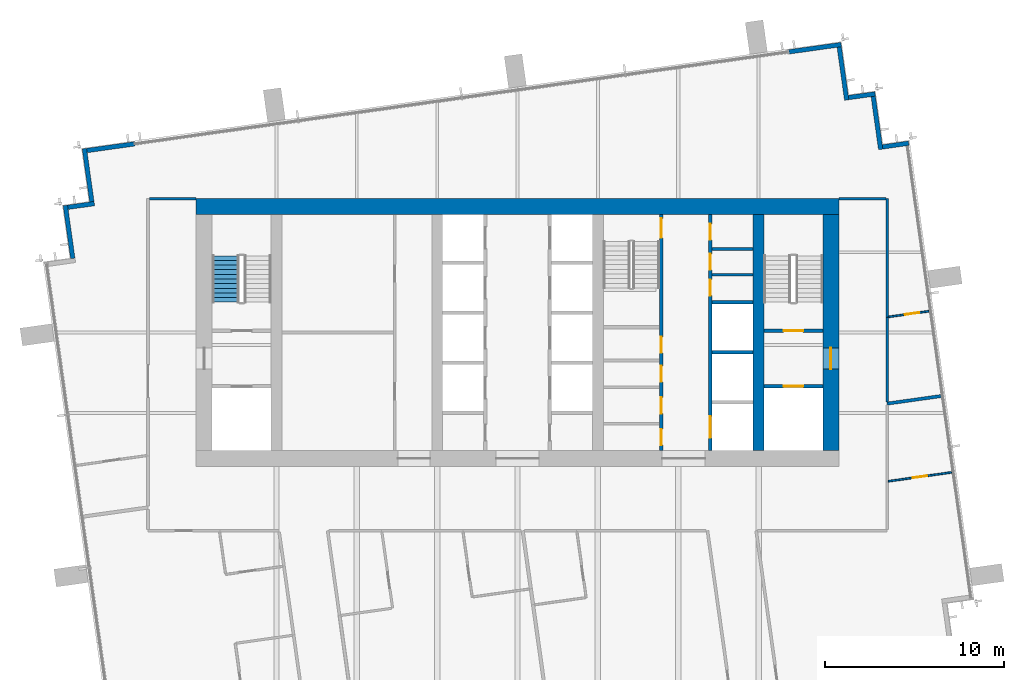
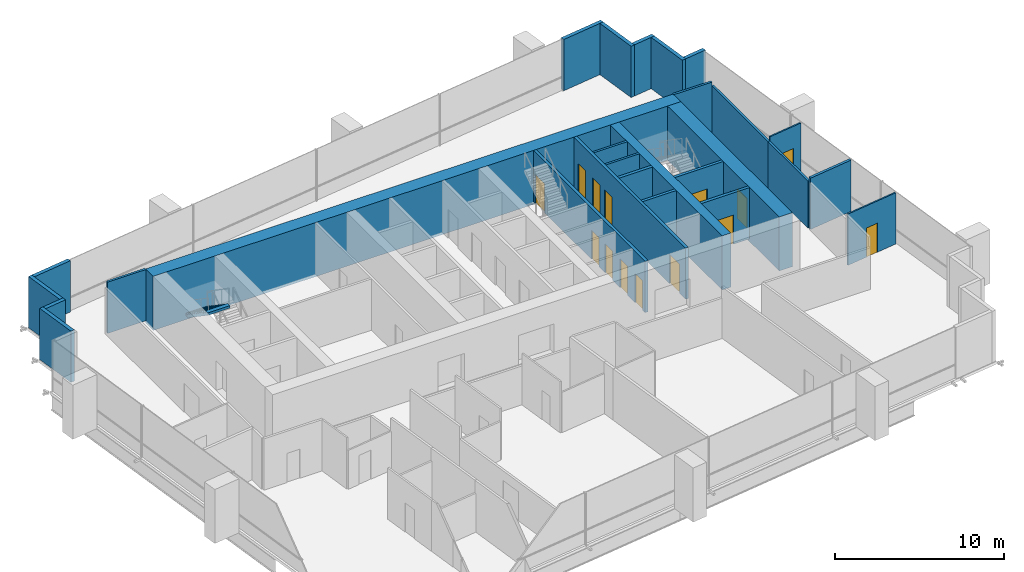
# One storey, part 10 of 12: 27 walls, 14 doors, 1 stair flight, 14 openings, 1 element without a shape of its own.
"""IFC4 building model written with IfcOpenShell, lengths in metres."""

from ifc_helpers import new_model, si_unit, direction, frame, frame_2d, origin, place, context, subcontext, project, spatial, polyline, rectangle, outline, extrude, material, layer, layer_set, type_object, element, fill, aggregate, save


model = new_model("IFC4")

# Units and contexts
model_context = context("Model", 3, precision=1e-05, world=origin(), true_north=direction((0.0, 1.0)))
body_context = subcontext(model_context, "Body", "Model", "MODEL_VIEW")
ifc_project = project(units=[si_unit("LENGTHUNIT", "METRE"), si_unit("AREAUNIT", "SQUARE_METRE"), si_unit("VOLUMEUNIT", "CUBIC_METRE"), si_unit("PLANEANGLEUNIT", "RADIAN"), si_unit("MASSUNIT", "GRAM", prefix="KILO")], contexts=[model_context])

# Site, building, storey
site_placement = place(None, origin())
site = spatial("IfcSite", under=ifc_project, at=site_placement, CompositionType="ELEMENT")
building_placement = place(site_placement, origin())
building = spatial("IfcBuilding", under=site, at=building_placement, Name="Rattan Terrace Tower", CompositionType="ELEMENT")
storey_placement = place(building_placement, frame((0.0, 0.0, 270.699951171875)))
storey = spatial("IfcBuildingStorey", under=building, at=storey_placement, Name="L62", CompositionType="ELEMENT", Elevation=270.699951171875)

# Walls
ifc_material_1 = material(Name="Gypsum board partition")
ifc_layer_1 = layer(ifc_material_1, 0.14990234375)
ifc_layer_set_1 = layer_set([ifc_layer_1], Name="Core partition 150")
wall_type_1 = type_object("IfcWallType", Name="Core partition 150", PredefinedType="PARTITIONING", material=ifc_layer_set_1)
for number, where, z_axis, x_axis, name in (
    (1, (10.89990234375, 3.239990234375, 0.0), (0.0, 0.0, 1.0), (1.0, 0.0, 0.0), "Riser room wall"),
    (2, (10.89990234375, 4.679931640625, 0.0), (0.0, 0.0, 1.0), (1.0, 0.0, 0.0), "Riser room wall"),
):
    element("IfcWall", number, at=place(storey_placement, frame(where, z_axis=z_axis, x_axis=x_axis)), inside=storey, type_object=wall_type_1, Name=name, PredefinedType="PARTITIONING", context=body_context, shape_type="SweptSolid", body=[
        extrude(rectangle(XDim=2.300048828125, YDim=0.14990234375, at=frame_2d((1.14990234375, 0.0))), origin(), (0.0, 0.0, 1.0), 3.699951171875),
    ])

# Wall, opening, door
ifc_material_2 = material(Name="Gypsum board partition")
ifc_layer_2 = layer(ifc_material_2, 0.199951171875)
ifc_layer_set_2 = layer_set([ifc_layer_2], Name="Core partition 200")
wall_type_2 = type_object("IfcWallType", Name="Core partition 200", PredefinedType="PARTITIONING", material=ifc_layer_set_2)
wall_1_placement = place(storey_placement, frame((13.800048828125, -3.0, 0.0), z_axis=(0.0, 0.0, 1.0), x_axis=(1.0, 0.0, 0.0)))
wall_1 = element("IfcWall", 3, at=wall_1_placement, inside=storey, type_object=wall_type_2, Name="Fire-fighting lobby wall", PredefinedType="PARTITIONING", context=body_context, shape_type="SweptSolid", body=[
    extrude(rectangle(XDim=3.300048828125, YDim=0.199951171875, at=frame_2d((1.64990234375, 0.0))), origin(), (0.0, 0.0, 1.0), 3.699951171875),
])
opening_1_placement = place(wall_1_placement, frame((1.10009765625, 0.0, 0.0)))
opening_1 = element("IfcOpeningElement", 4, at=opening_1_placement, cuts=wall_1, Name="Opening L62-LD-FF2", PredefinedType="OPENING", context=body_context, shape_type="SweptSolid", body=[
    extrude(rectangle(XDim=1.10009765625, YDim=2.10009765625, at=frame_2d((0.550048828125, 1.050048828125))), frame((0.0, 0.110595703125, 0.0), z_axis=(0.0, -1.0, 0.0), x_axis=(1.0, 0.0, 0.0)), (0.0, 0.0, 1.0), 0.220947265625),
])
ifc_material_3 = material(Name="Brushed stainless landing door panel")
door_type_1 = type_object("IfcDoorType", Name="Core lift landing door 1100", OperationType="DOUBLE_DOOR_SLIDING", PredefinedType="DOOR", material=ifc_material_3)
door_1_placement = place(opening_1_placement, origin())
door_1 = element("IfcDoor", 5, at=door_1_placement, inside=storey, type_object=door_type_1, Name="Door L62-LD-FF2", OperationType="DOUBLE_DOOR_SLIDING", OverallHeight=2.10009765625, OverallWidth=1.10009765625, PredefinedType="DOOR", context=body_context, shape_type="SweptSolid", body=[
    extrude(rectangle(XDim=1.10009765625, YDim=2.10009765625, at=frame_2d((0.550048828125, 1.050048828125))), frame((0.0, 0.02490234375, 0.0), z_axis=(0.0, -1.0, 0.0), x_axis=(1.0, 0.0, 0.0)), (0.0, 0.0, 1.0), 0.050048828125),
])
fill(opening_1, door_1)

wall_2_placement = place(storey_placement, frame((13.800048828125, 0.10009765625, 0.0), z_axis=(0.0, 0.0, 1.0), x_axis=(1.0, 0.0, 0.0)))
wall_2 = element("IfcWall", 6, at=wall_2_placement, inside=storey, type_object=wall_type_2, Name="Stair enclosure wall", PredefinedType="PARTITIONING", context=body_context, shape_type="SweptSolid", body=[
    extrude(rectangle(XDim=3.300048828125, YDim=0.199951171875, at=frame_2d((1.64990234375, 0.0))), origin(), (0.0, 0.0, 1.0), 3.699951171875),
])
opening_2_placement = place(wall_2_placement, frame((1.10009765625, 0.0, 0.0)))
opening_2 = element("IfcOpeningElement", 7, at=opening_2_placement, cuts=wall_2, Name="Opening L62-D004", PredefinedType="OPENING", context=body_context, shape_type="SweptSolid", body=[
    extrude(rectangle(XDim=1.10009765625, YDim=2.10009765625, at=frame_2d((0.550048828125, 1.050048828125))), frame((0.0, 0.110595703125, 0.0), z_axis=(0.0, -1.0, 0.0), x_axis=(1.0, 0.0, 0.0)), (0.0, 0.0, 1.0), 0.220947265625),
])
ifc_material_4 = material(Name="Hollow-metal fire door leaf")
door_type_2 = type_object("IfcDoorType", Name="Core stair door 1100", OperationType="NOTDEFINED", PredefinedType="DOOR", material=ifc_material_4)
door_2_placement = place(opening_2_placement, origin())
door_2 = element("IfcDoor", 8, at=door_2_placement, inside=storey, type_object=door_type_2, Name="Door L62-D004", OperationType="SINGLE_SWING_LEFT", OverallHeight=2.10009765625, OverallWidth=1.10009765625, PredefinedType="DOOR", context=body_context, shape_type="SweptSolid", body=[
    extrude(rectangle(XDim=1.10009765625, YDim=2.10009765625, at=frame_2d((0.550048828125, 1.050048828125))), frame((0.0, 0.02490234375, 0.0), z_axis=(0.0, -1.0, 0.0), x_axis=(1.0, 0.0, 0.0)), (0.0, 0.0, 1.0), 0.050048828125),
])
fill(opening_2, door_2)

# Wall, openings, doors
wall_3_placement = place(storey_placement, frame((8.050048828125, -6.60009765625, 0.0), z_axis=(0.0, 0.0, 1.0), x_axis=(0.0, 1.0, 0.0)))
wall_3 = element("IfcWall", 9, at=wall_3_placement, inside=storey, type_object=wall_type_2, Name="Lobby wall west", PredefinedType="PARTITIONING", context=body_context, shape_type="SweptSolid", body=[
    extrude(rectangle(XDim=13.2001953125, YDim=0.199951171875, at=frame_2d((6.60009765625, 0.0))), origin(), (0.0, 0.0, 1.0), 3.699951171875),
])
opening_3_placement = place(wall_3_placement, frame((0.298095703125, 0.0, 0.0)))
opening_3 = element("IfcOpeningElement", 10, at=opening_3_placement, cuts=wall_3, Name="Opening L62-D011", PredefinedType="OPENING", context=body_context, shape_type="SweptSolid", body=[
    extrude(rectangle(XDim=0.89990234375, YDim=2.10009765625, at=frame_2d((0.449951171875, 1.050048828125))), frame((0.0, 0.110595703125, 0.0), z_axis=(0.0, -1.0, 0.0), x_axis=(1.0, 0.0, 0.0)), (0.0, 0.0, 1.0), 0.220947265625),
])
opening_4_placement = place(wall_3_placement, frame((2.06591796875, 0.0, 0.0)))
opening_4 = element("IfcOpeningElement", 11, at=opening_4_placement, cuts=wall_3, Name="Opening L62-D012", PredefinedType="OPENING", context=body_context, shape_type="SweptSolid", body=[
    extrude(rectangle(XDim=0.89990234375, YDim=2.10009765625, at=frame_2d((0.449951171875, 1.050048828125))), frame((0.0, 0.110595703125, 0.0), z_axis=(0.0, -1.0, 0.0), x_axis=(1.0, 0.0, 0.0)), (0.0, 0.0, 1.0), 0.220947265625),
])
opening_5_placement = place(wall_3_placement, frame((3.833984375, 0.0, 0.0)))
opening_5 = element("IfcOpeningElement", 12, at=opening_5_placement, cuts=wall_3, Name="Opening L62-D013", PredefinedType="OPENING", context=body_context, shape_type="SweptSolid", body=[
    extrude(rectangle(XDim=0.89990234375, YDim=2.10009765625, at=frame_2d((0.449951171875, 1.050048828125))), frame((0.0, 0.110595703125, 0.0), z_axis=(0.0, -1.0, 0.0), x_axis=(1.0, 0.0, 0.0)), (0.0, 0.0, 1.0), 0.220947265625),
])
opening_6_placement = place(wall_3_placement, frame((5.466064453125, 0.0, 0.0)))
opening_6 = element("IfcOpeningElement", 13, at=opening_6_placement, cuts=wall_3, Name="Opening L62-D014", PredefinedType="OPENING", context=body_context, shape_type="SweptSolid", body=[
    extrude(rectangle(XDim=0.89990234375, YDim=2.10009765625, at=frame_2d((0.449951171875, 1.050048828125))), frame((0.0, 0.110595703125, 0.0), z_axis=(0.0, -1.0, 0.0), x_axis=(1.0, 0.0, 0.0)), (0.0, 0.0, 1.0), 0.220947265625),
])
opening_7_placement = place(wall_3_placement, frame((11.89990234375, 0.0, 0.0)))
opening_7 = element("IfcOpeningElement", 14, at=opening_7_placement, cuts=wall_3, Name="Opening L62-D015", PredefinedType="OPENING", context=body_context, shape_type="SweptSolid", body=[
    extrude(rectangle(XDim=1.10009765625, YDim=2.10009765625, at=frame_2d((0.550048828125, 1.050048828125))), frame((0.0, 0.110595703125, 0.0), z_axis=(0.0, -1.0, 0.0), x_axis=(1.0, 0.0, 0.0)), (0.0, 0.0, 1.0), 0.220947265625),
])
ifc_material_5 = material(Name="Hollow-metal fire door leaf")
door_type_3 = type_object("IfcDoorType", Name="Core service room door 900", OperationType="NOTDEFINED", PredefinedType="DOOR", material=ifc_material_5)
door_3_placement = place(opening_6_placement, origin())
door_3 = element("IfcDoor", 15, at=door_3_placement, inside=storey, type_object=door_type_3, Name="Door L62-D014", OperationType="SINGLE_SWING_RIGHT", OverallHeight=2.10009765625, OverallWidth=0.89990234375, PredefinedType="DOOR", context=body_context, shape_type="SweptSolid", body=[
    extrude(rectangle(XDim=0.89990234375, YDim=2.10009765625, at=frame_2d((0.449951171875, 1.050048828125))), frame((0.0, 0.02490234375, 0.0), z_axis=(0.0, -1.0, 0.0), x_axis=(1.0, 0.0, 0.0)), (0.0, 0.0, 1.0), 0.050048828125),
])
fill(opening_6, door_3)
door_4_placement = place(opening_7_placement, origin())
door_4 = element("IfcDoor", 16, at=door_4_placement, inside=storey, type_object=door_type_2, Name="Door L62-D015", OperationType="SINGLE_SWING_LEFT", OverallHeight=2.10009765625, OverallWidth=1.10009765625, PredefinedType="DOOR", context=body_context, shape_type="SweptSolid", body=[
    extrude(rectangle(XDim=1.10009765625, YDim=2.10009765625, at=frame_2d((0.550048828125, 1.050048828125))), frame((0.0, 0.02490234375, 0.0), z_axis=(0.0, -1.0, 0.0), x_axis=(1.0, 0.0, 0.0)), (0.0, 0.0, 1.0), 0.050048828125),
])
fill(opening_7, door_4)
ifc_material_6 = material(Name="Hollow-metal fire door leaf")
door_type_4 = type_object("IfcDoorType", Name="Core toilet door 900", OperationType="NOTDEFINED", PredefinedType="DOOR", material=ifc_material_6)
door_5_placement = place(opening_3_placement, origin())
door_5 = element("IfcDoor", 17, at=door_5_placement, inside=storey, type_object=door_type_4, Name="Door L62-D011", OperationType="SINGLE_SWING_LEFT", OverallHeight=2.10009765625, OverallWidth=0.89990234375, PredefinedType="DOOR", context=body_context, shape_type="SweptSolid", body=[
    extrude(rectangle(XDim=0.89990234375, YDim=2.10009765625, at=frame_2d((0.449951171875, 1.050048828125))), frame((0.0, 0.02490234375, 0.0), z_axis=(0.0, -1.0, 0.0), x_axis=(1.0, 0.0, 0.0)), (0.0, 0.0, 1.0), 0.050048828125),
])
fill(opening_3, door_5)
door_6_placement = place(opening_4_placement, origin())
door_6 = element("IfcDoor", 18, at=door_6_placement, inside=storey, type_object=door_type_4, Name="Door L62-D012", OperationType="SINGLE_SWING_RIGHT", OverallHeight=2.10009765625, OverallWidth=0.89990234375, PredefinedType="DOOR", context=body_context, shape_type="SweptSolid", body=[
    extrude(rectangle(XDim=0.89990234375, YDim=2.10009765625, at=frame_2d((0.449951171875, 1.050048828125))), frame((0.0, 0.02490234375, 0.0), z_axis=(0.0, -1.0, 0.0), x_axis=(1.0, 0.0, 0.0)), (0.0, 0.0, 1.0), 0.050048828125),
])
fill(opening_4, door_6)
door_7_placement = place(opening_5_placement, origin())
door_7 = element("IfcDoor", 19, at=door_7_placement, inside=storey, type_object=door_type_4, Name="Door L62-D013", OperationType="SINGLE_SWING_LEFT", OverallHeight=2.10009765625, OverallWidth=0.89990234375, PredefinedType="DOOR", context=body_context, shape_type="SweptSolid", body=[
    extrude(rectangle(XDim=0.89990234375, YDim=2.10009765625, at=frame_2d((0.449951171875, 1.050048828125))), frame((0.0, 0.02490234375, 0.0), z_axis=(0.0, -1.0, 0.0), x_axis=(1.0, 0.0, 0.0)), (0.0, 0.0, 1.0), 0.050048828125),
])
fill(opening_5, door_7)

# Wall
ifc_material_7 = material(Name="Concrete C50/60", Category="concrete")
ifc_layer_3 = layer(ifc_material_7, 0.89990234375)
ifc_layer_set_3 = layer_set([ifc_layer_3], Name="Core ring wall 900 C50/60")
wall_type_3 = type_object("IfcWallType", Name="Core ring wall 900 C50/60", PredefinedType="SHEAR", material=ifc_layer_set_3)
wall_4_placement = place(storey_placement, frame((-18.0, 7.050048828125, -0.199951171875), z_axis=(0.0, 0.0, 1.0), x_axis=(1.0, 0.0, 0.0)))
element("IfcWall", 20, at=wall_4_placement, inside=storey, type_object=wall_type_3, Name="Rear core wall north", PredefinedType="SHEAR", context=body_context, shape_type="SweptSolid", body=[
    extrude(rectangle(XDim=36.0, YDim=0.89990234375, at=frame_2d((18.0, 0.0))), origin(), (0.0, 0.0, 1.0), 3.89990234375),
])

# Wall, opening, door
wall_5_placement = place(storey_placement, frame((17.550048828125, -6.60009765625, -0.199951171875), z_axis=(0.0, 0.0, 1.0), x_axis=(0.0, 1.0, 0.0)))
wall_5 = element("IfcWall", 21, at=wall_5_placement, inside=storey, type_object=wall_type_3, Name="Rear core wall east", PredefinedType="SHEAR", context=body_context, shape_type="SweptSolid", body=[
    extrude(rectangle(XDim=13.2001953125, YDim=0.89990234375, at=frame_2d((6.60009765625, 0.0))), origin(), (0.0, 0.0, 1.0), 3.89990234375),
])
opening_8_placement = place(wall_5_placement, frame((4.550048828125, 0.0, 0.199951171875)))
opening_8 = element("IfcOpeningElement", 22, at=opening_8_placement, cuts=wall_5, Name="Opening L62-D003", PredefinedType="OPENING", context=body_context, shape_type="SweptSolid", body=[
    extrude(rectangle(XDim=1.199951171875, YDim=2.10009765625, at=frame_2d((0.60009765625, 1.050048828125))), frame((0.0, 0.46044921875, 0.0), z_axis=(0.0, -1.0, 0.0), x_axis=(1.0, 0.0, 0.0)), (0.0, 0.0, 1.0), 0.9208984375),
])
ifc_material_8 = material(Name="Hollow-metal fire door leaf")
door_type_5 = type_object("IfcDoorType", Name="Core fire-fighting lobby door 1200", OperationType="NOTDEFINED", PredefinedType="DOOR", material=ifc_material_8)
door_8_placement = place(opening_8_placement, origin())
door_8 = element("IfcDoor", 23, at=door_8_placement, inside=storey, type_object=door_type_5, Name="Door L62-D003", OperationType="SINGLE_SWING_RIGHT", OverallHeight=2.10009765625, OverallWidth=1.199951171875, PredefinedType="DOOR", context=body_context, shape_type="SweptSolid", body=[
    extrude(rectangle(XDim=1.199951171875, YDim=2.10009765625, at=frame_2d((0.60009765625, 1.050048828125))), frame((0.0, 0.02490234375, 0.0), z_axis=(0.0, -1.0, 0.0), x_axis=(1.0, 0.0, 0.0)), (0.0, 0.0, 1.0), 0.050048828125),
])
fill(opening_8, door_8)

# Walls
ifc_material_9 = material(Name="Concrete C50/60", Category="concrete")
ifc_layer_4 = layer(ifc_material_9, 0.60009765625)
ifc_layer_set_4 = layer_set([ifc_layer_4], Name="Core spine wall 600 C50/60")
wall_type_4 = type_object("IfcWallType", Name="Core spine wall 600 C50/60", PredefinedType="SHEAR", material=ifc_layer_set_4)
wall_6_placement = place(storey_placement, frame((13.5, -6.60009765625, -0.199951171875), z_axis=(0.0, 0.0, 1.0), x_axis=(0.0, 1.0, 0.0)))
element("IfcWall", 24, at=wall_6_placement, inside=storey, type_object=wall_type_4, Name="Core spine wall 4", PredefinedType="SHEAR", context=body_context, shape_type="SweptSolid", body=[
    extrude(rectangle(XDim=13.2001953125, YDim=0.60009765625, at=frame_2d((6.60009765625, 0.0))), origin(), (0.0, 0.0, 1.0), 3.89990234375),
])
ifc_material_10 = material(Name="Insulated aluminium-clad stud wall", Category="aluminium")
ifc_layer_5 = layer(ifc_material_10, 0.25)
ifc_layer_set_5 = layer_set([ifc_layer_5], Name="Facade Riser Wall 250")
wall_type_5 = type_object("IfcWallType", Name="Facade Riser Wall 250", PredefinedType="SOLIDWALL", material=ifc_layer_set_5)
wall_7_placement = place(storey_placement, frame((21.90625, 10.60498046875, 0.0), z_axis=(0.0, 0.0, 1.0), x_axis=(-0.990235520307, -0.13940449893, 0.0)))
element("IfcWall", 25, at=wall_7_placement, inside=storey, type_object=wall_type_5, Name="Riser wall L62-6", PredefinedType="SOLIDWALL", context=body_context, shape_type="SweptSolid", body=[
    extrude(rectangle(XDim=1.474609375, YDim=0.25, at=frame_2d((0.7373046875, 0.0))), origin(), (0.0, 0.0, 1.0), 3.699951171875),
])
wall_8_placement = place(storey_placement, frame((20.33984375, 10.25830078125, 0.0), z_axis=(0.0, 0.0, 1.0), x_axis=(-0.139393225799, 0.990237107263, 0.0)))
element("IfcWall", 26, at=wall_8_placement, inside=storey, type_object=wall_type_5, Name="Riser wall L62-7", PredefinedType="SOLIDWALL", context=body_context, shape_type="SweptSolid", body=[
    extrude(rectangle(XDim=3.000244140625, YDim=0.25, at=frame_2d((1.5, 0.0))), origin(), (0.0, 0.0, 1.0), 3.699951171875),
])
wall_9_placement = place(storey_placement, frame((20.028076171875, 13.370361328125, 0.0), z_axis=(0.0, 0.0, 1.0), x_axis=(-0.990330117064, -0.138730887823, 0.0)))
element("IfcWall", 27, at=wall_9_placement, inside=storey, type_object=wall_type_5, Name="Riser wall L62-8", PredefinedType="SOLIDWALL", context=body_context, shape_type="SweptSolid", body=[
    extrude(rectangle(XDim=1.499267578125, YDim=0.25, at=frame_2d((0.74951171875, 0.0))), origin(), (0.0, 0.0, 1.0), 3.699951171875),
])
wall_10_placement = place(storey_placement, frame((18.436767578125, 13.021240234375, 0.0), z_axis=(0.0, 0.0, 1.0), x_axis=(-0.139358350296, 0.990242015975, 0.0)))
element("IfcWall", 28, at=wall_10_placement, inside=storey, type_object=wall_type_5, Name="Riser wall L62-9", PredefinedType="SOLIDWALL", context=body_context, shape_type="SweptSolid", body=[
    extrude(rectangle(XDim=2.999267578125, YDim=0.25, at=frame_2d((1.49951171875, 0.0))), origin(), (0.0, 0.0, 1.0), 3.699951171875),
])
wall_11_placement = place(storey_placement, frame((18.125244140625, 16.13232421875, 0.0), z_axis=(0.0, 0.0, 1.0), x_axis=(-0.990291981483, -0.139002846771, 0.0)))
element("IfcWall", 29, at=wall_11_placement, inside=storey, type_object=wall_type_5, Name="Riser wall L62-10", PredefinedType="SOLIDWALL", context=body_context, shape_type="SweptSolid", body=[
    extrude(rectangle(XDim=2.9541015625, YDim=0.25, at=frame_2d((1.47705078125, 0.0))), origin(), (0.0, 0.0, 1.0), 3.699951171875),
])
wall_12_placement = place(storey_placement, frame((-21.4404296875, 10.571533203125, 0.0), z_axis=(0.0, 0.0, 1.0), x_axis=(-0.990293105353, -0.138994839796, 0.0)))
element("IfcWall", 30, at=wall_12_placement, inside=storey, type_object=wall_type_5, Name="Riser wall L62-11", PredefinedType="SOLIDWALL", context=body_context, shape_type="SweptSolid", body=[
    extrude(rectangle(XDim=2.705078125, YDim=0.25, at=frame_2d((1.3525390625, 0.0))), origin(), (0.0, 0.0, 1.0), 3.699951171875),
])
wall_13_placement = place(storey_placement, frame((-24.260498046875, 10.302001953125, 0.0), z_axis=(0.0, 0.0, 1.0), x_axis=(0.138994228812, -0.990293191109, 0.0)))
element("IfcWall", 31, at=wall_13_placement, inside=storey, type_object=wall_type_5, Name="Riser wall L62-12", PredefinedType="SOLIDWALL", context=body_context, shape_type="SweptSolid", body=[
    extrude(rectangle(XDim=3.0, YDim=0.25, at=frame_2d((1.5, 0.0))), origin(), (0.0, 0.0, 1.0), 3.699951171875),
])
wall_14_placement = place(storey_placement, frame((-23.7021484375, 7.224853515625, 0.0), z_axis=(0.0, 0.0, 1.0), x_axis=(-0.990243596651, -0.13934711799, 0.0)))
element("IfcWall", 32, at=wall_14_placement, inside=storey, type_object=wall_type_5, Name="Riser wall L62-13", PredefinedType="SOLIDWALL", context=body_context, shape_type="SweptSolid", body=[
    extrude(rectangle(XDim=1.499755859375, YDim=0.25, at=frame_2d((0.75, 0.0))), origin(), (0.0, 0.0, 1.0), 3.699951171875),
])
wall_15_placement = place(storey_placement, frame((-25.328369140625, 7.1220703125, 0.0), z_axis=(0.0, 0.0, 1.0), x_axis=(0.139358350296, -0.990242015975, 0.0)))
element("IfcWall", 33, at=wall_15_placement, inside=storey, type_object=wall_type_5, Name="Riser wall L62-14", PredefinedType="SOLIDWALL", context=body_context, shape_type="SweptSolid", body=[
    extrude(rectangle(XDim=2.999267578125, YDim=0.25, at=frame_2d((1.49951171875, 0.0))), origin(), (0.0, 0.0, 1.0), 3.699951171875),
])
ifc_material_11 = material(Name="Double steel stud acoustic partition, gypsum board, mineral wool, fire rated", Category="steel")
ifc_layer_6 = layer(ifc_material_11, 0.179931640625)
ifc_layer_set_6 = layer_set([ifc_layer_6], Name="Floors Acoustic Party Wall 180")
wall_type_6 = type_object("IfcWallType", Name="Floors Acoustic Party Wall 180", PredefinedType="PARTITIONING", material=ifc_layer_set_6)
wall_16_placement = place(storey_placement, frame((20.699951171875, -3.97900390625, 0.0), z_axis=(0.0, 0.0, 1.0), x_axis=(0.990284458693, 0.139056430527, 0.0)))
element("IfcWall", 34, at=wall_16_placement, inside=storey, type_object=wall_type_6, Name="pt-L62-034", PredefinedType="PARTITIONING", context=body_context, shape_type="SweptSolid", body=[
    extrude(rectangle(XDim=3.03564453125, YDim=0.179931640625, at=frame_2d((1.517822265625, 0.0))), origin(), (0.0, 0.0, 1.0), 3.699951171875),
])

# Wall, opening, door
ifc_material_12 = material(Name="Gypsum board partition on steel studs", Category="steel")
ifc_layer_7 = layer(ifc_material_12, 0.10009765625)
ifc_layer_set_7 = layer_set([ifc_layer_7], Name="Floors Partition 100")
wall_type_7 = type_object("IfcWallType", Name="Floors Partition 100", PredefinedType="PARTITIONING", material=ifc_layer_set_7)
wall_17_placement = place(storey_placement, frame((20.76806640625, -8.327880859375, 0.0), z_axis=(0.0, 0.0, 1.0), x_axis=(0.990282917859, 0.139067403067, 0.0)))
wall_17 = element("IfcWall", 35, at=wall_17_placement, inside=storey, type_object=wall_type_7, Name="pt-L62-033", PredefinedType="PARTITIONING", context=body_context, shape_type="SweptSolid", body=[
    extrude(rectangle(XDim=3.572509765625, YDim=0.10009765625, at=frame_2d((1.7861328125, 0.0))), origin(), (0.0, 0.0, 1.0), 3.699951171875),
])
opening_9_placement = place(wall_17_placement, frame((1.386962890625, 0.0, 0.0)))
opening_9 = element("IfcOpeningElement", 36, at=opening_9_placement, cuts=wall_17, Name="Opening L62-D105", PredefinedType="OPENING", context=body_context, shape_type="SweptSolid", body=[
    extrude(rectangle(XDim=0.800048828125, YDim=2.10009765625, at=frame_2d((0.39990234375, 1.050048828125))), frame((0.0, 0.060546875, 0.0), z_axis=(0.0, -1.0, 0.0), x_axis=(1.0, 0.0, 0.0)), (0.0, 0.0, 1.0), 0.12109375),
])
ifc_material_13 = material(Name="Solid core timber door, painted", Category="wood")
door_type_6 = type_object("IfcDoorType", Name="Floors Store Door 800x2100", OperationType="NOTDEFINED", PredefinedType="DOOR", material=ifc_material_13)
door_9_placement = place(opening_9_placement, origin())
door_9 = element("IfcDoor", 37, at=door_9_placement, inside=storey, type_object=door_type_6, Name="d-L62-105", OperationType="SINGLE_SWING_RIGHT", OverallHeight=2.10009765625, OverallWidth=0.800048828125, PredefinedType="DOOR", context=body_context, shape_type="SweptSolid", body=[
    extrude(rectangle(XDim=0.800048828125, YDim=2.10009765625, at=frame_2d((0.39990234375, 1.050048828125))), frame((0.0, 0.02490234375, 0.0), z_axis=(0.0, -1.0, 0.0), x_axis=(1.0, 0.0, 0.0)), (0.0, 0.0, 1.0), 0.050048828125),
])
fill(opening_9, door_9)

wall_18_placement = place(storey_placement, frame((23.037109375, 1.196044921875, 0.0), z_axis=(0.0, 0.0, 1.0), x_axis=(-0.990256119684, -0.139258096452, 0.0)))
wall_18 = element("IfcWall", 38, at=wall_18_placement, inside=storey, type_object=wall_type_7, Name="pt-L62-036", PredefinedType="PARTITIONING", context=body_context, shape_type="SweptSolid", body=[
    extrude(rectangle(XDim=2.291259765625, YDim=0.10009765625, at=frame_2d((1.1455078125, 0.0))), origin(), (0.0, 0.0, 1.0), 3.699951171875),
])
opening_10_placement = place(wall_18_placement, frame((0.547119140625, 0.0, 0.0)))
opening_10 = element("IfcOpeningElement", 39, at=opening_10_placement, cuts=wall_18, Name="Opening L62-D108", PredefinedType="OPENING", context=body_context, shape_type="SweptSolid", body=[
    extrude(rectangle(XDim=0.800048828125, YDim=2.10009765625, at=frame_2d((0.39990234375, 1.050048828125))), frame((0.0, 0.060546875, 0.0), z_axis=(0.0, -1.0, 0.0), x_axis=(1.0, 0.0, 0.0)), (0.0, 0.0, 1.0), 0.12109375),
])
door_10_placement = place(opening_10_placement, origin())
door_10 = element("IfcDoor", 40, at=door_10_placement, inside=storey, type_object=door_type_6, Name="d-L62-108", OperationType="SINGLE_SWING_LEFT", OverallHeight=2.10009765625, OverallWidth=0.800048828125, PredefinedType="DOOR", context=body_context, shape_type="SweptSolid", body=[
    extrude(rectangle(XDim=0.800048828125, YDim=2.10009765625, at=frame_2d((0.39990234375, 1.050048828125))), frame((0.0, 0.02490234375, 0.0), z_axis=(0.0, -1.0, 0.0), x_axis=(1.0, 0.0, 0.0)), (0.0, 0.0, 1.0), 0.050048828125),
])
fill(opening_10, door_10)

# Walls
ifc_material_14 = material(Name="Gypsum board partition on steel studs, fire rated", Category="steel")
ifc_layer_8 = layer(ifc_material_14, 0.14990234375)
ifc_layer_set_8 = layer_set([ifc_layer_8], Name="Floors Tenancy Wall 150")
wall_type_8 = type_object("IfcWallType", Name="Floors Tenancy Wall 150", PredefinedType="PARTITIONING", material=ifc_layer_set_8)
for number, where, z_axis, x_axis, name in (
    (41, (-20.625, 7.5009765625, 0.0), (0.0, 0.0, 1.0), (1.0, 0.0, 0.0), "pt-L62-013"),
    (42, (18.0, 7.5009765625, 0.0), (0.0, 0.0, 1.0), (1.0, 0.0, 0.0), "pt-L62-014"),
):
    element("IfcWall", number, at=place(storey_placement, frame(where, z_axis=z_axis, x_axis=x_axis)), inside=storey, type_object=wall_type_8, Name=name, PredefinedType="PARTITIONING", context=body_context, shape_type="SweptSolid", body=[
        extrude(rectangle(XDim=2.625, YDim=0.14990234375, at=frame_2d((1.3125, 0.0))), origin(), (0.0, 0.0, 1.0), 3.699951171875),
    ])
wall_19_placement = place(storey_placement, frame((20.699951171875, 7.5, 0.0), z_axis=(0.0, 0.0, 1.0), x_axis=(0.0, -1.0, 0.0)))
element("IfcWall", 43, at=wall_19_placement, inside=storey, type_object=wall_type_8, Name="pt-L62-015", PredefinedType="PARTITIONING", context=body_context, shape_type="SweptSolid", body=[
    extrude(rectangle(XDim=6.652099609375, YDim=0.14990234375, at=frame_2d((3.326171875, 0.0))), origin(), (0.0, 0.0, 1.0), 3.400146484375),
])
wall_20_placement = place(storey_placement, frame((20.699951171875, 0.847900390625, 0.0), z_axis=(0.0, 0.0, 1.0), x_axis=(0.0, -1.0, 0.0)))
element("IfcWall", 44, at=wall_20_placement, inside=storey, type_object=wall_type_8, Name="pt-L62-017", PredefinedType="PARTITIONING", context=body_context, shape_type="SweptSolid", body=[
    extrude(rectangle(XDim=4.725830078125, YDim=0.14990234375, at=frame_2d((2.36279296875, 0.0))), origin(), (0.0, 0.0, 1.0), 3.400146484375),
])

# Wall, openings, doors
ifc_material_15 = material(Name="Gypsum shaft wall system")
ifc_layer_9 = layer(ifc_material_15, 0.199951171875)
ifc_layer_set_9 = layer_set([ifc_layer_9], Name="Lift shaft wall 200")
wall_type_9 = type_object("IfcWallType", Name="Lift shaft wall 200", PredefinedType="PARTITIONING", material=ifc_layer_set_9)
wall_21_placement = place(storey_placement, frame((10.800048828125, -6.60009765625, 0.0), z_axis=(0.0, 0.0, 1.0), x_axis=(0.0, 1.0, 0.0)))
wall_21 = element("IfcWall", 45, at=wall_21_placement, inside=storey, type_object=wall_type_9, Name="Lift shaft front wall", PredefinedType="PARTITIONING", context=body_context, shape_type="SweptSolid", body=[
    extrude(rectangle(XDim=13.2001953125, YDim=0.199951171875, at=frame_2d((6.60009765625, 0.0))), origin(), (0.0, 0.0, 1.0), 3.699951171875),
])
opening_11_placement = place(wall_21_placement, frame((0.699951171875, 0.0, 0.0)))
opening_11 = element("IfcOpeningElement", 46, at=opening_11_placement, cuts=wall_21, Name="Opening L62-LD-SV1", PredefinedType="OPENING", context=body_context, shape_type="SweptSolid", body=[
    extrude(rectangle(XDim=1.199951171875, YDim=2.10009765625, at=frame_2d((0.60009765625, 1.050048828125))), frame((0.0, 0.110595703125, 0.0), z_axis=(0.0, -1.0, 0.0), x_axis=(1.0, 0.0, 0.0)), (0.0, 0.0, 1.0), 0.220947265625),
])
opening_12_placement = place(wall_21_placement, frame((8.669921875, 0.0, 0.0)))
opening_12 = element("IfcOpeningElement", 47, at=opening_12_placement, cuts=wall_21, Name="Opening L62-D017", PredefinedType="OPENING", context=body_context, shape_type="SweptSolid", body=[
    extrude(rectangle(XDim=0.89990234375, YDim=2.10009765625, at=frame_2d((0.449951171875, 1.050048828125))), frame((0.0, 0.110595703125, 0.0), z_axis=(0.0, -1.0, 0.0), x_axis=(1.0, 0.0, 0.0)), (0.0, 0.0, 1.0), 0.220947265625),
])
opening_13_placement = place(wall_21_placement, frame((10.110107421875, 0.0, 0.0)))
opening_13 = element("IfcOpeningElement", 48, at=opening_13_placement, cuts=wall_21, Name="Opening L62-D018", PredefinedType="OPENING", context=body_context, shape_type="SweptSolid", body=[
    extrude(rectangle(XDim=0.89990234375, YDim=2.10009765625, at=frame_2d((0.449951171875, 1.050048828125))), frame((0.0, 0.110595703125, 0.0), z_axis=(0.0, -1.0, 0.0), x_axis=(1.0, 0.0, 0.0)), (0.0, 0.0, 1.0), 0.220947265625),
])
opening_14_placement = place(wall_21_placement, frame((11.7900390625, 0.0, 0.0)))
opening_14 = element("IfcOpeningElement", 49, at=opening_14_placement, cuts=wall_21, Name="Opening L62-D019", PredefinedType="OPENING", context=body_context, shape_type="SweptSolid", body=[
    extrude(rectangle(XDim=0.89990234375, YDim=2.10009765625, at=frame_2d((0.449951171875, 1.050048828125))), frame((0.0, 0.110595703125, 0.0), z_axis=(0.0, -1.0, 0.0), x_axis=(1.0, 0.0, 0.0)), (0.0, 0.0, 1.0), 0.220947265625),
])
ifc_material_16 = material(Name="Brushed stainless landing door panel")
door_type_7 = type_object("IfcDoorType", Name="Core lift landing door 1200", OperationType="DOUBLE_DOOR_SLIDING", PredefinedType="DOOR", material=ifc_material_16)
door_11_placement = place(opening_11_placement, origin())
door_11 = element("IfcDoor", 50, at=door_11_placement, inside=storey, type_object=door_type_7, Name="Door L62-LD-SV1", OperationType="DOUBLE_DOOR_SLIDING", OverallHeight=2.10009765625, OverallWidth=1.199951171875, PredefinedType="DOOR", context=body_context, shape_type="SweptSolid", body=[
    extrude(rectangle(XDim=1.199951171875, YDim=2.10009765625, at=frame_2d((0.60009765625, 1.050048828125))), frame((0.0, 0.02490234375, 0.0), z_axis=(0.0, -1.0, 0.0), x_axis=(1.0, 0.0, 0.0)), (0.0, 0.0, 1.0), 0.050048828125),
])
fill(opening_11, door_11)
ifc_material_17 = material(Name="Hollow-metal fire door leaf")
door_type_8 = type_object("IfcDoorType", Name="Core riser door 900", OperationType="NOTDEFINED", PredefinedType="DOOR", material=ifc_material_17)
door_12_placement = place(opening_12_placement, origin())
door_12 = element("IfcDoor", 51, at=door_12_placement, inside=storey, type_object=door_type_8, Name="Door L62-D017", OperationType="SINGLE_SWING_RIGHT", OverallHeight=2.10009765625, OverallWidth=0.89990234375, PredefinedType="DOOR", context=body_context, shape_type="SweptSolid", body=[
    extrude(rectangle(XDim=0.89990234375, YDim=2.10009765625, at=frame_2d((0.449951171875, 1.050048828125))), frame((0.0, 0.02490234375, 0.0), z_axis=(0.0, -1.0, 0.0), x_axis=(1.0, 0.0, 0.0)), (0.0, 0.0, 1.0), 0.050048828125),
])
fill(opening_12, door_12)
door_13_placement = place(opening_13_placement, origin())
door_13 = element("IfcDoor", 52, at=door_13_placement, inside=storey, type_object=door_type_8, Name="Door L62-D018", OperationType="SINGLE_SWING_LEFT", OverallHeight=2.10009765625, OverallWidth=0.89990234375, PredefinedType="DOOR", context=body_context, shape_type="SweptSolid", body=[
    extrude(rectangle(XDim=0.89990234375, YDim=2.10009765625, at=frame_2d((0.449951171875, 1.050048828125))), frame((0.0, 0.02490234375, 0.0), z_axis=(0.0, -1.0, 0.0), x_axis=(1.0, 0.0, 0.0)), (0.0, 0.0, 1.0), 0.050048828125),
])
fill(opening_13, door_13)
door_14_placement = place(opening_14_placement, origin())
door_14 = element("IfcDoor", 53, at=door_14_placement, inside=storey, type_object=door_type_3, Name="Door L62-D019", OperationType="SINGLE_SWING_RIGHT", OverallHeight=2.10009765625, OverallWidth=0.89990234375, PredefinedType="DOOR", context=body_context, shape_type="SweptSolid", body=[
    extrude(rectangle(XDim=0.89990234375, YDim=2.10009765625, at=frame_2d((0.449951171875, 1.050048828125))), frame((0.0, 0.02490234375, 0.0), z_axis=(0.0, -1.0, 0.0), x_axis=(1.0, 0.0, 0.0)), (0.0, 0.0, 1.0), 0.050048828125),
])
fill(opening_14, door_14)

# Walls
for number, where, z_axis, x_axis, name in (
    (54, (10.89990234375, -1.10009765625, 0.0), (0.0, 0.0, 1.0), (1.0, 0.0, 0.0), "Lift shaft wall"),
    (55, (10.89990234375, 1.699951171875, 0.0), (0.0, 0.0, 1.0), (1.0, 0.0, 0.0), "Lift shaft wall"),
):
    element("IfcWall", number, at=place(storey_placement, frame(where, z_axis=z_axis, x_axis=x_axis)), inside=storey, type_object=wall_type_9, Name=name, PredefinedType="PARTITIONING", context=body_context, shape_type="SweptSolid", body=[
        extrude(rectangle(XDim=2.300048828125, YDim=0.199951171875, at=frame_2d((1.14990234375, 0.0))), origin(), (0.0, 0.0, 1.0), 3.699951171875),
    ])

# Stair, stair flight
ifc_material_18 = material(Name="Concrete C40/50", Category="concrete")
stair_type = type_object("IfcStairType", Name="Core exit stair 1500", PredefinedType="HALF_TURN_STAIR", material=ifc_material_18)
stair_placement = place(storey_placement, origin())
stair = element("IfcStair", 56, at=stair_placement, inside=storey, type_object=stair_type, Name="L62 exit stair 1", PredefinedType="HALF_TURN_STAIR")
ifc_material_19 = material(Name="Concrete C40/50", Category="concrete")
stair_flight_type = type_object("IfcStairFlightType", Name="Core exit stair flight 1500", PredefinedType="STRAIGHT", material=ifc_material_19)
stair_flight_placement = place(storey_placement, frame((-16.35009765625, 4.300048828125, 1.949951171875), z_axis=(0.0, 0.0, 1.0), x_axis=(0.0, -1.0, 0.0)))
stair_flight = element("IfcStairFlight", 57, at=stair_flight_placement, type_object=stair_flight_type, Name="S1 flight 2", NumberOfRisers=11, NumberOfTreads=10, PredefinedType="STRAIGHT", RiserHeight=0.177272727, TreadLength=0.26, context=body_context, shape_type="SweptSolid", body=[
    extrude(outline(polyline([(0.0, 0.0), (0.0, 0.17724609375), (0.260009765625, 0.17724609375), (0.260009765625, 0.3544921875), (0.52001953125, 0.3544921875), (0.52001953125, 0.53173828125), (0.780029296875, 0.53173828125), (0.780029296875, 0.708984375), (1.0400390625, 0.708984375), (1.0400390625, 0.886474609375), (1.300048828125, 0.886474609375), (1.300048828125, 1.063720703125), (1.56005859375, 1.063720703125), (1.56005859375, 1.240966796875), (1.820068359375, 1.240966796875), (1.820068359375, 1.418212890625), (2.080078125, 1.418212890625), (2.080078125, 1.595458984375), (2.340087890625, 1.595458984375), (2.340087890625, 1.772705078125), (2.60009765625, 1.772705078125), (2.60009765625, 1.949951171875), (2.60009765625, 1.59130859375), (0.26611328125, 0.0), (0.0, 0.0)])), frame((0.0, 0.75, 0.0), z_axis=(0.0, -1.0, 0.0), x_axis=(1.0, 0.0, 0.0)), (0.0, 0.0, 1.0), 1.5),
])
aggregate(stair, [stair_flight])

save(model, "model.ifc")
